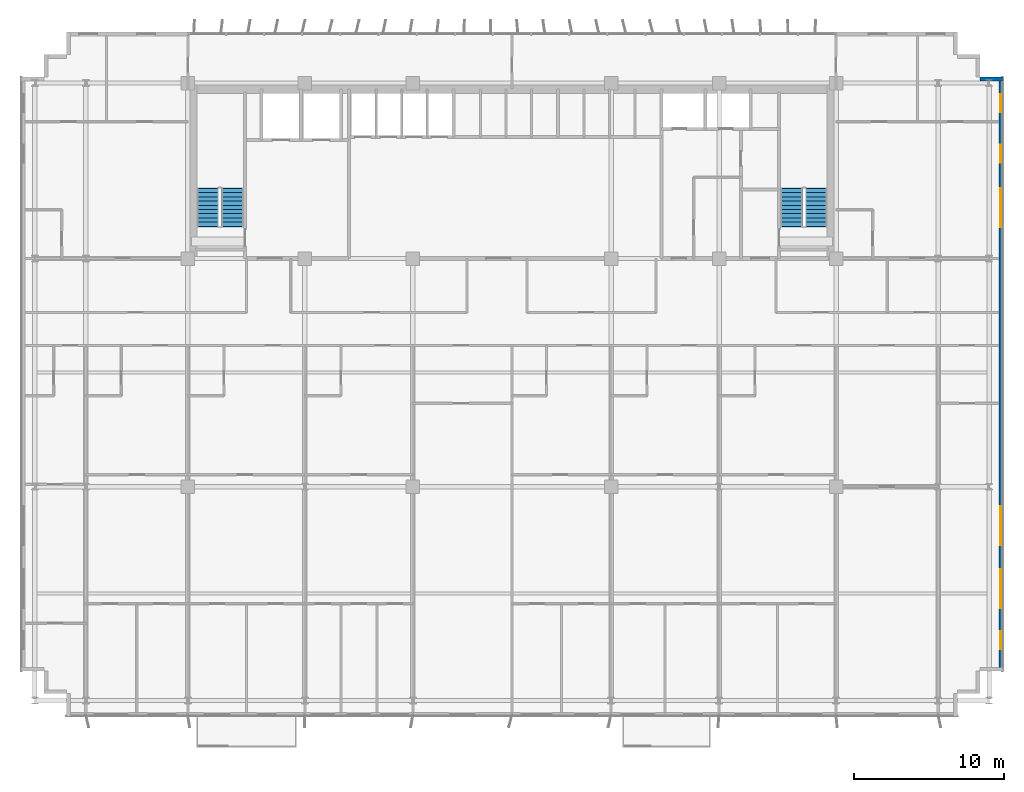
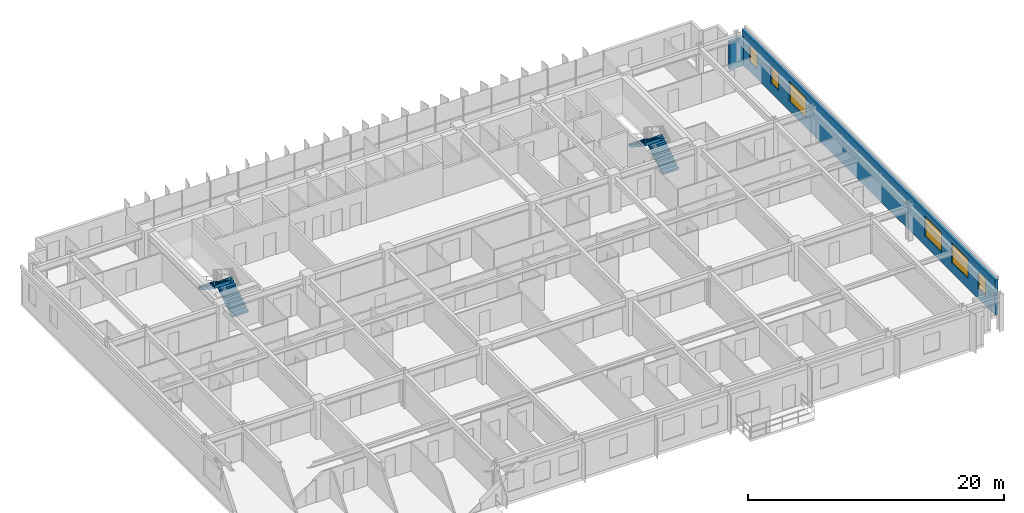
# One storey, part 21 of 24: 6 windows, 4 stair flights, 2 walls, 6 openings, 2 elements without a shape of their own.
"""IFC4 building model written with IfcOpenShell, lengths in metres."""

from ifc_helpers import new_model, si_unit, direction, frame, frame_2d, origin, place, context, subcontext, project, spatial, polyline, rectangle, outline, extrude, source, transform, mapped, material, layer, layer_set, type_object, element, fill, aggregate, save


model = new_model("IFC4")

# Units and contexts
model_context = context("Model", 3, precision=1e-05, world=origin(), true_north=direction((0.0, 1.0)))
body_context = subcontext(model_context, "Body", "Model", "MODEL_VIEW")
ifc_project = project(units=[si_unit("LENGTHUNIT", "METRE"), si_unit("AREAUNIT", "SQUARE_METRE"), si_unit("VOLUMEUNIT", "CUBIC_METRE"), si_unit("PLANEANGLEUNIT", "RADIAN"), si_unit("MASSUNIT", "GRAM", prefix="KILO")], contexts=[model_context])

# Site, building, storey
site_placement = place(None, origin())
site = spatial("IfcSite", under=ifc_project, at=site_placement, CompositionType="ELEMENT")
building_placement = place(site_placement, origin())
building = spatial("IfcBuilding", under=site, at=building_placement, Name="Trelvane Seafront Commons", CompositionType="ELEMENT")
storey_placement = place(building_placement, frame((0.0, 0.0, 27.10009765625)))
storey = spatial("IfcBuildingStorey", under=building, at=storey_placement, Name="L06", CompositionType="ELEMENT", Elevation=27.10009765625)

# Wall
ifc_material_1 = material(Name="Precast concrete C40/50", Category="concrete")
ifc_layer = layer(ifc_material_1, 0.260009765625, Name="ARCH-WALL-EXT260")
ifc_layer_set = layer_set([ifc_layer], Name="Precast concrete C40/50")
wall_type = type_object("IfcWallType", Name="ARCH-WALL-EXT260", PredefinedType="SOLIDWALL", material=ifc_layer_set)
wall_1_placement = place(storey_placement, frame((68.39990234375, 45.3701171875, 0.0), z_axis=(0.0, 0.0, 1.0), x_axis=(1.0, 0.0, 0.0)))
element("IfcWall", 1, at=wall_1_placement, inside=storey, type_object=wall_type, Name="EW-L06-00079", PredefinedType="SOLIDWALL", context=body_context, shape_type="SweptSolid", body=[
    extrude(rectangle(XDim=1.5, YDim=0.260009765625, at=frame_2d((0.75, 0.0))), origin(), (0.0, 0.0, 1.0), 2.68994140625),
])

# Wall, openings, windows
wall_2_placement = place(storey_placement, frame((69.77001953125, 45.5, 0.0), z_axis=(0.0, 0.0, 1.0), x_axis=(0.0, -1.0, 0.0)))
wall_2 = element("IfcWall", 2, at=wall_2_placement, inside=storey, type_object=wall_type, Name="EW-L06-00080", PredefinedType="SOLIDWALL", context=body_context, shape_type="SweptSolid", body=[
    extrude(rectangle(XDim=39.60009765625, YDim=0.260009765625, at=frame_2d((19.800048828125, 0.0))), origin(), (0.0, 0.0, 1.0), 3.33984375),
])
opening_1_placement = place(wall_2_placement, frame((36.949951171875, 0.0, 0.919921875)))
opening_1 = element("IfcOpeningElement", 3, at=opening_1_placement, cuts=wall_2, Name="Opening W05", PredefinedType="OPENING", context=body_context, shape_type="SweptSolid", body=[
    extrude(rectangle(XDim=1.199951171875, YDim=1.64990234375, at=frame_2d((0.60009765625, 0.824951171875))), frame((0.0, 0.139892578125, 0.0), z_axis=(0.0, -1.0, 0.0), x_axis=(1.0, 0.0, 0.0)), (0.0, 0.0, 1.0), 0.280029296875),
])
opening_2_placement = place(wall_2_placement, frame((32.800048828125, 0.0, 0.919921875)))
opening_2 = element("IfcOpeningElement", 4, at=opening_2_placement, cuts=wall_2, Name="Opening W04", PredefinedType="OPENING", context=body_context, shape_type="SweptSolid", body=[
    extrude(rectangle(XDim=2.60009765625, YDim=1.89990234375, at=frame_2d((1.300048828125, 0.949951171875))), frame((0.0, 0.139892578125, 0.0), z_axis=(0.0, -1.0, 0.0), x_axis=(1.0, 0.0, 0.0)), (0.0, 0.0, 1.0), 0.280029296875),
])
opening_3_placement = place(wall_2_placement, frame((28.60009765625, 0.0, 0.919921875)))
opening_3 = element("IfcOpeningElement", 5, at=opening_3_placement, cuts=wall_2, Name="Opening W04", PredefinedType="OPENING", context=body_context, shape_type="SweptSolid", body=[
    extrude(rectangle(XDim=2.60009765625, YDim=1.89990234375, at=frame_2d((1.300048828125, 0.949951171875))), frame((0.0, 0.139892578125, 0.0), z_axis=(0.0, -1.0, 0.0), x_axis=(1.0, 0.0, 0.0)), (0.0, 0.0, 1.0), 0.280029296875),
])
opening_4_placement = place(wall_2_placement, frame((7.39990234375, 0.0, 0.919921875)))
opening_4 = element("IfcOpeningElement", 6, at=opening_4_placement, cuts=wall_2, Name="Opening W04", PredefinedType="OPENING", context=body_context, shape_type="SweptSolid", body=[
    extrude(rectangle(XDim=2.60009765625, YDim=1.89990234375, at=frame_2d((1.300048828125, 0.949951171875))), frame((0.0, 0.139892578125, 0.0), z_axis=(0.0, -1.0, 0.0), x_axis=(1.0, 0.0, 0.0)), (0.0, 0.0, 1.0), 0.280029296875),
])
opening_5_placement = place(wall_2_placement, frame((4.5, 0.0, 0.919921875)))
opening_5 = element("IfcOpeningElement", 7, at=opening_5_placement, cuts=wall_2, Name="Opening W05", PredefinedType="OPENING", context=body_context, shape_type="SweptSolid", body=[
    extrude(rectangle(XDim=1.199951171875, YDim=1.64990234375, at=frame_2d((0.60009765625, 0.824951171875))), frame((0.0, 0.139892578125, 0.0), z_axis=(0.0, -1.0, 0.0), x_axis=(1.0, 0.0, 0.0)), (0.0, 0.0, 1.0), 0.280029296875),
])
opening_6_placement = place(wall_2_placement, frame((1.14990234375, 0.0, 0.919921875)))
opening_6 = element("IfcOpeningElement", 8, at=opening_6_placement, cuts=wall_2, Name="Opening W05", PredefinedType="OPENING", context=body_context, shape_type="SweptSolid", body=[
    extrude(rectangle(XDim=1.199951171875, YDim=1.64990234375, at=frame_2d((0.60009765625, 0.824951171875))), frame((0.0, 0.139892578125, 0.0), z_axis=(0.0, -1.0, 0.0), x_axis=(1.0, 0.0, 0.0)), (0.0, 0.0, 1.0), 0.280029296875),
])
ifc_material_2 = material(Name="Low-E coastal double glazing", Category="glass")
window_type_1 = type_object("IfcWindowType", Name="ARCH-WIN-W04", PartitioningType="SINGLE_PANEL", PredefinedType="WINDOW", material=ifc_material_2)
shared_shape_1 = source(origin(), body_context, "Body", "SweptSolid", [
    extrude(rectangle(XDim=2.60009765625, YDim=1.89990234375, at=frame_2d((1.300048828125, 0.949951171875))), frame((0.0, 0.030029296875, 0.0), z_axis=(0.0, -1.0, 0.0), x_axis=(1.0, 0.0, 0.0)), (0.0, 0.0, 1.0), 0.06005859375),
])
window_1_placement = place(opening_2_placement, origin())
window_1 = element("IfcWindow", 9, at=window_1_placement, inside=storey, type_object=window_type_1, Name="WIN-L06-EW-00110", OverallHeight=1.89990234375, OverallWidth=2.60009765625, PartitioningType="SINGLE_PANEL", PredefinedType="WINDOW", context=body_context, shape_type="MappedRepresentation", body=[
    mapped(shared_shape_1, transform((0.0, 0.0, 0.0), x_axis=(1.0, 0.0, 0.0), y_axis=(0.0, 1.0, 0.0), z_axis=(0.0, 0.0, 1.0), scale=1.0)),
])
fill(opening_2, window_1)
window_2_placement = place(opening_3_placement, origin())
window_2 = element("IfcWindow", 10, at=window_2_placement, inside=storey, type_object=window_type_1, Name="WIN-L06-EW-00111", OverallHeight=1.89990234375, OverallWidth=2.60009765625, PartitioningType="SINGLE_PANEL", PredefinedType="WINDOW", context=body_context, shape_type="MappedRepresentation", body=[
    mapped(shared_shape_1, transform((0.0, 0.0, 0.0), x_axis=(1.0, 0.0, 0.0), y_axis=(0.0, 1.0, 0.0), z_axis=(0.0, 0.0, 1.0), scale=1.0)),
])
fill(opening_3, window_2)
window_3_placement = place(opening_4_placement, origin())
window_3 = element("IfcWindow", 11, at=window_3_placement, inside=storey, type_object=window_type_1, Name="WIN-L06-EW-00112", OverallHeight=1.89990234375, OverallWidth=2.60009765625, PartitioningType="SINGLE_PANEL", PredefinedType="WINDOW", context=body_context, shape_type="MappedRepresentation", body=[
    mapped(shared_shape_1, transform((0.0, 0.0, 0.0), x_axis=(1.0, 0.0, 0.0), y_axis=(0.0, 1.0, 0.0), z_axis=(0.0, 0.0, 1.0), scale=1.0)),
])
fill(opening_4, window_3)
window_type_2 = type_object("IfcWindowType", Name="ARCH-WIN-W05", PartitioningType="SINGLE_PANEL", PredefinedType="WINDOW", material=ifc_material_2)
shared_shape_2 = source(origin(), body_context, "Body", "SweptSolid", [
    extrude(rectangle(XDim=1.199951171875, YDim=1.64990234375, at=frame_2d((0.60009765625, 0.824951171875))), frame((0.0, 0.030029296875, 0.0), z_axis=(0.0, -1.0, 0.0), x_axis=(1.0, 0.0, 0.0)), (0.0, 0.0, 1.0), 0.06005859375),
])
window_4_placement = place(opening_1_placement, origin())
window_4 = element("IfcWindow", 12, at=window_4_placement, inside=storey, type_object=window_type_2, Name="WIN-L06-EW-00109", OverallHeight=1.64990234375, OverallWidth=1.199951171875, PartitioningType="SINGLE_PANEL", PredefinedType="WINDOW", context=body_context, shape_type="MappedRepresentation", body=[
    mapped(shared_shape_2, transform((0.0, 0.0, 0.0), x_axis=(1.0, 0.0, 0.0), y_axis=(0.0, 1.0, 0.0), z_axis=(0.0, 0.0, 1.0), scale=1.0)),
])
fill(opening_1, window_4)
window_5_placement = place(opening_5_placement, origin())
window_5 = element("IfcWindow", 13, at=window_5_placement, inside=storey, type_object=window_type_2, Name="WIN-L06-EW-00113", OverallHeight=1.64990234375, OverallWidth=1.199951171875, PartitioningType="SINGLE_PANEL", PredefinedType="WINDOW", context=body_context, shape_type="MappedRepresentation", body=[
    mapped(shared_shape_2, transform((0.0, 0.0, 0.0), x_axis=(1.0, 0.0, 0.0), y_axis=(0.0, 1.0, 0.0), z_axis=(0.0, 0.0, 1.0), scale=1.0)),
])
fill(opening_5, window_5)
window_6_placement = place(opening_6_placement, origin())
window_6 = element("IfcWindow", 14, at=window_6_placement, inside=storey, type_object=window_type_2, Name="WIN-L06-EW-00114", OverallHeight=1.64990234375, OverallWidth=1.199951171875, PartitioningType="SINGLE_PANEL", PredefinedType="WINDOW", context=body_context, shape_type="MappedRepresentation", body=[
    mapped(shared_shape_2, transform((0.0, 0.0, 0.0), x_axis=(1.0, 0.0, 0.0), y_axis=(0.0, 1.0, 0.0), z_axis=(0.0, 0.0, 1.0), scale=1.0)),
])
fill(opening_6, window_6)

# Stair, stair flights
ifc_material_3 = material(Name="Concrete C40/50", Category="concrete")
stair_type_1 = type_object("IfcStairType", Name="ARCH-STR-ST-1-R20-180", PredefinedType="HALF_TURN_STAIR", material=ifc_material_3)
stair_1_placement = place(storey_placement, origin())
stair_1 = element("IfcStair", 15, at=stair_1_placement, inside=storey, type_object=stair_type_1, Name="L06 West Protected Firefighting Exit Stair ST-1", PredefinedType="HALF_TURN_STAIR")
stair_flight_type_1 = type_object("IfcStairFlightType", Name="ARCH-FLG-ST-1-R20-180", PredefinedType="STRAIGHT", material=ifc_material_3)
shared_shape_3 = source(origin(), body_context, "Body", "SweptSolid", [
    extrude(outline(polyline([(-0.050048828125, -0.02001953125), (-0.050048828125, 0.0), (0.0, 0.0), (0.0, 0.179931640625), (0.280029296875, 0.179931640625), (0.280029296875, 0.360107421875), (0.56005859375, 0.360107421875), (0.56005859375, 0.5400390625), (0.840087890625, 0.5400390625), (0.840087890625, 0.719970703125), (1.1201171875, 0.719970703125), (1.1201171875, 0.89990234375), (1.39990234375, 0.89990234375), (1.39990234375, 1.080078125), (1.679931640625, 1.080078125), (1.679931640625, 1.260009765625), (1.9599609375, 1.260009765625), (1.9599609375, 1.43994140625), (2.239990234375, 1.43994140625), (2.239990234375, 1.6201171875), (2.52001953125, 1.6201171875), (2.52001953125, 1.800048828125), (2.570068359375, 1.800048828125), (2.570068359375, 1.650146484375), (2.52001953125, 1.44189453125), (0.277099609375, -0.02001953125), (-0.050048828125, -0.02001953125)])), frame((0.0, 0.72509765625, 0.0), z_axis=(0.0, -1.0, 0.0), x_axis=(1.0, 0.0, 0.0)), (0.0, 0.0, 1.0), 1.449951171875),
])
stair_flight_1_placement = place(storey_placement, frame((18.574951171875, 35.550048828125, 0.0), z_axis=(0.0, 0.0, 1.0), x_axis=(0.0, 1.0, 0.0)))
stair_flight_1 = element("IfcStairFlight", 16, at=stair_flight_1_placement, type_object=stair_flight_type_1, Name="ST-1 flight 1", NumberOfRisers=10, NumberOfTreads=9, PredefinedType="STRAIGHT", RiserHeight=0.18, TreadLength=0.28, context=body_context, shape_type="MappedRepresentation", body=[
    mapped(shared_shape_3, transform((0.0, 0.0, 0.0), x_axis=(1.0, 0.0, 0.0), y_axis=(0.0, 1.0, 0.0), z_axis=(0.0, 0.0, 1.0), scale=1.0)),
])
stair_flight_2_placement = place(storey_placement, frame((16.925048828125, 38.070068359375, 1.7998046875), z_axis=(0.0, 0.0, 1.0), x_axis=(0.0, -1.0, 0.0)))
stair_flight_2 = element("IfcStairFlight", 17, at=stair_flight_2_placement, type_object=stair_flight_type_1, Name="ST-1 flight 2", NumberOfRisers=10, NumberOfTreads=9, PredefinedType="STRAIGHT", RiserHeight=0.18, TreadLength=0.28, context=body_context, shape_type="MappedRepresentation", body=[
    mapped(shared_shape_3, transform((0.0, 0.0, 0.0), x_axis=(1.0, 0.0, 0.0), y_axis=(0.0, 1.0, 0.0), z_axis=(0.0, 0.0, 1.0), scale=1.0)),
])
aggregate(stair_1, [stair_flight_1, stair_flight_2])

stair_type_2 = type_object("IfcStairType", Name="ARCH-STR-ST-2-R20-180", PredefinedType="HALF_TURN_STAIR", material=ifc_material_3)
stair_2_placement = place(storey_placement, origin())
stair_2 = element("IfcStair", 18, at=stair_2_placement, inside=storey, type_object=stair_type_2, Name="L06 East Protected Firefighting Exit Stair ST-2", PredefinedType="HALF_TURN_STAIR")
stair_flight_type_2 = type_object("IfcStairFlightType", Name="ARCH-FLG-ST-2-R20-180", PredefinedType="STRAIGHT", material=ifc_material_3)
stair_flight_3_placement = place(storey_placement, frame((57.47509765625, 35.550048828125, 0.0), z_axis=(0.0, 0.0, 1.0), x_axis=(0.0, 1.0, 0.0)))
stair_flight_3 = element("IfcStairFlight", 19, at=stair_flight_3_placement, type_object=stair_flight_type_2, Name="ST-2 flight 1", NumberOfRisers=10, NumberOfTreads=9, PredefinedType="STRAIGHT", RiserHeight=0.18, TreadLength=0.28, context=body_context, shape_type="MappedRepresentation", body=[
    mapped(shared_shape_3, transform((0.0, 0.0, 0.0), x_axis=(1.0, 0.0, 0.0), y_axis=(0.0, 1.0, 0.0), z_axis=(0.0, 0.0, 1.0), scale=1.0)),
])
stair_flight_4_placement = place(storey_placement, frame((55.824951171875, 38.070068359375, 1.7998046875), z_axis=(0.0, 0.0, 1.0), x_axis=(0.0, -1.0, 0.0)))
stair_flight_4 = element("IfcStairFlight", 20, at=stair_flight_4_placement, type_object=stair_flight_type_2, Name="ST-2 flight 2", NumberOfRisers=10, NumberOfTreads=9, PredefinedType="STRAIGHT", RiserHeight=0.18, TreadLength=0.28, context=body_context, shape_type="MappedRepresentation", body=[
    mapped(shared_shape_3, transform((0.0, 0.0, 0.0), x_axis=(1.0, 0.0, 0.0), y_axis=(0.0, 1.0, 0.0), z_axis=(0.0, 0.0, 1.0), scale=1.0)),
])
aggregate(stair_2, [stair_flight_3, stair_flight_4])

save(model, "model.ifc")
